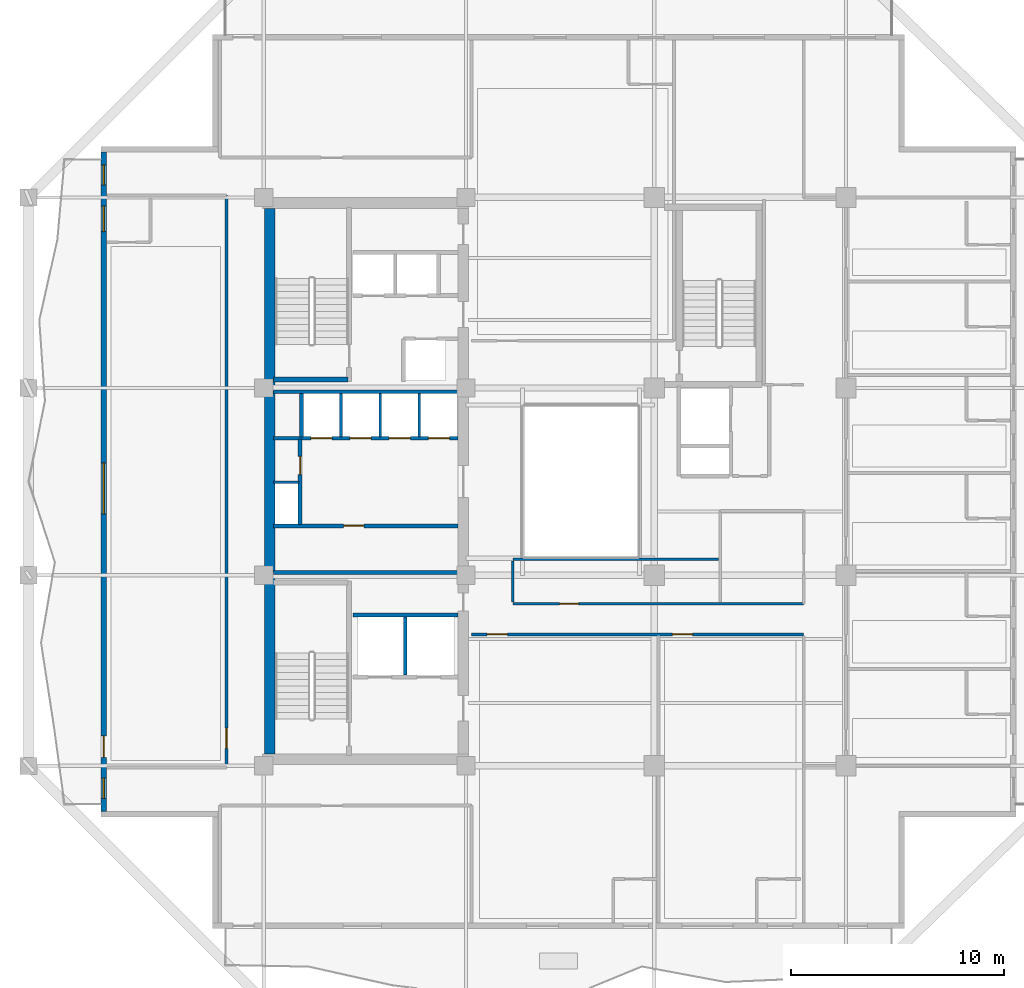
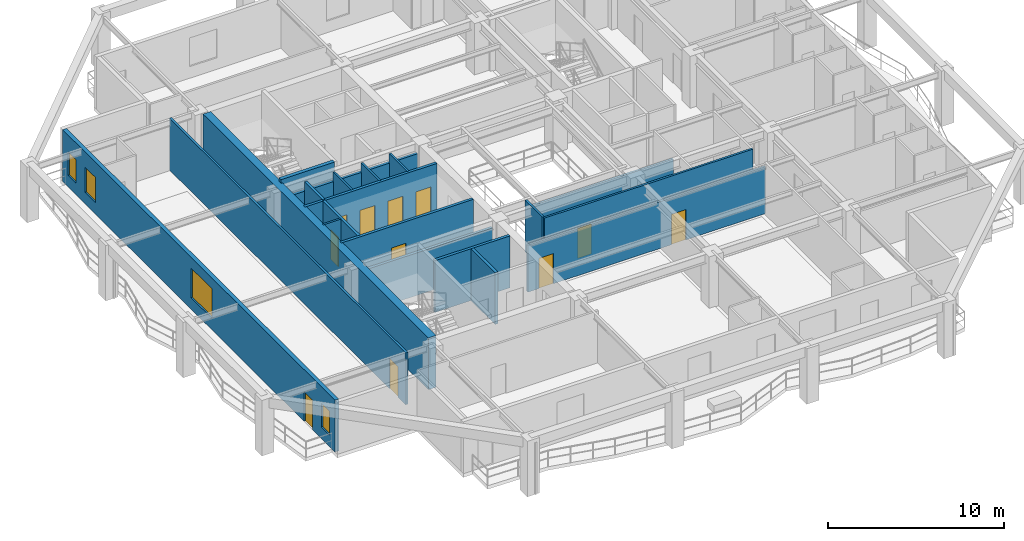
# One storey, part 3 of 13: 20 walls, 11 doors, 4 windows, 15 openings.
"""IFC4 building model written with IfcOpenShell, lengths in metres."""

from ifc_helpers import new_model, si_unit, direction, frame, frame_2d, origin, place, context, subcontext, project, spatial, rectangle, extrude, material, layer, layer_set, type_object, element, fill, save


model = new_model("IFC4")

# Units and contexts
model_context = context("Model", 3, precision=1e-05, world=origin(), true_north=direction((0.0, 1.0)))
body_context = subcontext(model_context, "Body", "Model", "MODEL_VIEW")
ifc_project = project(units=[si_unit("LENGTHUNIT", "METRE"), si_unit("AREAUNIT", "SQUARE_METRE"), si_unit("VOLUMEUNIT", "CUBIC_METRE"), si_unit("PLANEANGLEUNIT", "RADIAN"), si_unit("MASSUNIT", "GRAM", prefix="KILO")], contexts=[model_context])

# Site, building, storey
site_placement = place(None, origin())
site = spatial("IfcSite", under=ifc_project, at=site_placement, CompositionType="ELEMENT")
building_placement = place(site_placement, origin())
building = spatial("IfcBuilding", under=site, at=building_placement, Name="Kundavana Baori Tower", CompositionType="ELEMENT")
storey_placement = place(building_placement, frame((0.0, 0.0, 184.85009765625)))
storey = spatial("IfcBuildingStorey", under=building, at=storey_placement, Name="L45", CompositionType="ELEMENT", Elevation=184.85009765625)

# Walls
ifc_material_1 = material(Name="Concrete C50/60", Category="concrete")
ifc_layer_1 = layer(ifc_material_1, 0.39990234375, Name="WL-CORE-400")
ifc_layer_set_1 = layer_set([ifc_layer_1], Name="Concrete C50/60")
wall_type_1 = type_object("IfcWallType", Name="WL-CORE-400", PredefinedType="SHEAR", material=ifc_layer_set_1)
wall_1_placement = place(storey_placement, frame((15.89990234375, 33.389892578125, 0.0), z_axis=(0.0, 0.0, 1.0), x_axis=(1.0, 0.0, 0.0)))
element("IfcWall", 1, at=wall_1_placement, inside=storey, type_object=wall_type_1, Name="WL-L45-ST2-S", PredefinedType="SHEAR", context=body_context, shape_type="SweptSolid", body=[
    extrude(rectangle(XDim=3.52001953125, YDim=0.239990234375, at=frame_2d((1.760009765625, 0.0))), origin(), (0.0, 0.0, 1.0), 3.849853515625),
])
ifc_material_2 = material(Name="Concrete C50/60", Category="concrete")
ifc_layer_2 = layer(ifc_material_2, 0.5, Name="WL-CORE-500")
ifc_layer_set_2 = layer_set([ifc_layer_2], Name="Concrete C50/60")
wall_type_2 = type_object("IfcWallType", Name="WL-CORE-500", PredefinedType="SHEAR", material=ifc_layer_set_2)
wall_2_placement = place(storey_placement, frame((15.739990234375, 15.81005859375, 0.0), z_axis=(0.0, 0.0, 1.0), x_axis=(0.0, 1.0, 0.0)))
element("IfcWall", 2, at=wall_2_placement, inside=storey, type_object=wall_type_2, Name="L45 Offset Core West Shear Wall", PredefinedType="SHEAR", context=body_context, shape_type="SweptSolid", body=[
    extrude(rectangle(XDim=25.6298828125, YDim=0.5, at=frame_2d((12.81494140625, 0.0))), origin(), (0.0, 0.0, 1.0), 3.599853515625),
])

# Wall, openings, door, windows
ifc_material_3 = material(Name="Kiln-Fired Terracotta Brick-Slip Masonry on Concrete C40/50", Category="masonry")
ifc_layer_3 = layer(ifc_material_3, 0.260009765625, Name="WL-EXT-BRK-260")
ifc_layer_set_3 = layer_set([ifc_layer_3], Name="Kiln-Fired Terracotta Brick-Slip Masonry on Concrete C40/50")
wall_type_3 = type_object("IfcWallType", Name="WL-EXT-BRK-260", PredefinedType="SOLIDWALL", material=ifc_layer_set_3)
wall_3_placement = place(storey_placement, frame((7.929931640625, 44.090087890625, 0.0), z_axis=(0.0, 0.0, 1.0), x_axis=(0.0, -1.0, 0.0)))
wall_3 = element("IfcWall", 3, at=wall_3_placement, inside=storey, type_object=wall_type_3, Name="L45 Exterior Insulated Facade Wall 10", PredefinedType="SOLIDWALL", context=body_context, shape_type="SweptSolid", body=[
    extrude(rectangle(XDim=30.97998046875, YDim=0.260009765625, at=frame_2d((15.489990234375, 0.0))), origin(), (0.0, 0.0, 1.0), 3.599853515625),
])
opening_1_placement = place(wall_3_placement, frame((29.425048828125, 0.0, 0.800048828125)))
opening_1 = element("IfcOpeningElement", 4, at=opening_1_placement, cuts=wall_3, Name="Opening W-13", PredefinedType="OPENING", context=body_context, shape_type="SweptSolid", body=[
    extrude(rectangle(XDim=0.949951171875, YDim=1.64990234375, at=frame_2d((0.47509765625, 0.824951171875))), frame((0.0, 0.14013671875, 0.0), z_axis=(0.0, -1.0, 0.0), x_axis=(1.0, 0.0, 0.0)), (0.0, 0.0, 1.0), 0.280029296875),
])
opening_2_placement = place(wall_3_placement, frame((27.43994140625, 0.0, 0.0)))
opening_2 = element("IfcOpeningElement", 5, at=opening_2_placement, cuts=wall_3, Name="Opening BD-1", PredefinedType="OPENING", context=body_context, shape_type="SweptSolid", body=[
    extrude(rectangle(XDim=1.0, YDim=2.050048828125, at=frame_2d((0.5, 1.02490234375))), frame((0.0, 0.14013671875, 0.0), z_axis=(0.0, -1.0, 0.0), x_axis=(1.0, 0.0, 0.0)), (0.0, 0.0, 1.0), 0.280029296875),
])
opening_3_placement = place(wall_3_placement, frame((14.610107421875, 0.0, 0.800048828125)))
opening_3 = element("IfcOpeningElement", 6, at=opening_3_placement, cuts=wall_3, Name="Opening W-04", PredefinedType="OPENING", context=body_context, shape_type="SweptSolid", body=[
    extrude(rectangle(XDim=2.39990234375, YDim=2.050048828125, at=frame_2d((1.199951171875, 1.02490234375))), frame((0.0, 0.14013671875, 0.0), z_axis=(0.0, -1.0, 0.0), x_axis=(1.0, 0.0, 0.0)), (0.0, 0.0, 1.0), 0.280029296875),
])
opening_4_placement = place(wall_3_placement, frame((2.544921875, 0.0, 0.800048828125)))
opening_4 = element("IfcOpeningElement", 7, at=opening_4_placement, cuts=wall_3, Name="Opening W-03", PredefinedType="OPENING", context=body_context, shape_type="SweptSolid", body=[
    extrude(rectangle(XDim=1.199951171875, YDim=1.75, at=frame_2d((0.60009765625, 0.875))), frame((0.0, 0.14013671875, 0.0), z_axis=(0.0, -1.0, 0.0), x_axis=(1.0, 0.0, 0.0)), (0.0, 0.0, 1.0), 0.280029296875),
])
opening_5_placement = place(wall_3_placement, frame((0.60498046875, 0.0, 0.800048828125)))
opening_5 = element("IfcOpeningElement", 8, at=opening_5_placement, cuts=wall_3, Name="Opening W-13", PredefinedType="OPENING", context=body_context, shape_type="SweptSolid", body=[
    extrude(rectangle(XDim=0.949951171875, YDim=1.64990234375, at=frame_2d((0.47509765625, 0.824951171875))), frame((0.0, 0.14013671875, 0.0), z_axis=(0.0, -1.0, 0.0), x_axis=(1.0, 0.0, 0.0)), (0.0, 0.0, 1.0), 0.280029296875),
])
ifc_material_4 = material(Name="Architectural Patinated Bronze Metalwork")
door_type_1 = type_object("IfcDoorType", Name="DR-EXT-LOG-1000", OperationType="NOTDEFINED", PredefinedType="DOOR", material=ifc_material_4)
door_1_placement = place(opening_2_placement, frame((1.0, 0.0, 0.0), z_axis=(0.0, 0.0, 1.0), x_axis=(-1.0, 0.0, 0.0)))
door_1 = element("IfcDoor", 9, at=door_1_placement, inside=storey, type_object=door_type_1, Name="L45 Loggia Balcony Access Door W", OperationType="SINGLE_SWING_LEFT", OverallHeight=2.050048828125, OverallWidth=1.0, PredefinedType="DOOR", context=body_context, shape_type="SweptSolid", body=[
    extrude(rectangle(XDim=1.0, YDim=2.050048828125, at=frame_2d((0.5, 1.02490234375))), frame((0.0, 0.02490234375, 0.0), z_axis=(0.0, -1.0, 0.0), x_axis=(1.0, 0.0, 0.0)), (0.0, 0.0, 1.0), 0.050048828125),
])
fill(opening_2, door_1)
ifc_material_5 = material(Name="Double-Glazed Solar-Control Low-E Insulated Glass", Category="glass")
window_type_1 = type_object("IfcWindowType", Name="WIN-LOG-1200x1750", PartitioningType="SINGLE_PANEL", PredefinedType="WINDOW", material=ifc_material_5)
window_1_placement = place(opening_4_placement, origin())
window_1 = element("IfcWindow", 10, at=window_1_placement, inside=storey, type_object=window_type_1, Name="L45 Recessed Loggia Window W-3", OverallHeight=1.75, OverallWidth=1.199951171875, PartitioningType="SINGLE_PANEL", PredefinedType="WINDOW", context=body_context, shape_type="SweptSolid", body=[
    extrude(rectangle(XDim=1.199951171875, YDim=1.75, at=frame_2d((0.60009765625, 0.875))), frame((0.0, 0.030029296875, 0.0), z_axis=(0.0, -1.0, 0.0), x_axis=(1.0, 0.0, 0.0)), (0.0, 0.0, 1.0), 0.06005859375),
])
fill(opening_4, window_1)
ifc_material_6 = material(Name="Double-Glazed Solar-Control Low-E Insulated Glass", Category="glass")
window_type_2 = type_object("IfcWindowType", Name="WIN-LOG-2400x2050", PartitioningType="SINGLE_PANEL", PredefinedType="WINDOW", material=ifc_material_6)
window_2_placement = place(opening_3_placement, origin())
window_2 = element("IfcWindow", 11, at=window_2_placement, inside=storey, type_object=window_type_2, Name="L45 Recessed Loggia Window W-2", OverallHeight=2.050048828125, OverallWidth=2.39990234375, PartitioningType="SINGLE_PANEL", PredefinedType="WINDOW", context=body_context, shape_type="SweptSolid", body=[
    extrude(rectangle(XDim=2.39990234375, YDim=2.050048828125, at=frame_2d((1.199951171875, 1.02490234375))), frame((0.0, 0.030029296875, 0.0), z_axis=(0.0, -1.0, 0.0), x_axis=(1.0, 0.0, 0.0)), (0.0, 0.0, 1.0), 0.06005859375),
])
fill(opening_3, window_2)
ifc_material_7 = material(Name="Double-Glazed Solar-Control Low-E Insulated Glass", Category="glass")
window_type_3 = type_object("IfcWindowType", Name="WIN-LOG-950x1650", PartitioningType="SINGLE_PANEL", PredefinedType="WINDOW", material=ifc_material_7)
window_3_placement = place(opening_1_placement, origin())
window_3 = element("IfcWindow", 12, at=window_3_placement, inside=storey, type_object=window_type_3, Name="L45 Recessed Loggia Window W-1", OverallHeight=1.64990234375, OverallWidth=0.949951171875, PartitioningType="SINGLE_PANEL", PredefinedType="WINDOW", context=body_context, shape_type="SweptSolid", body=[
    extrude(rectangle(XDim=0.949951171875, YDim=1.64990234375, at=frame_2d((0.47509765625, 0.824951171875))), frame((0.0, 0.030029296875, 0.0), z_axis=(0.0, -1.0, 0.0), x_axis=(1.0, 0.0, 0.0)), (0.0, 0.0, 1.0), 0.06005859375),
])
fill(opening_1, window_3)
window_4_placement = place(opening_5_placement, origin())
window_4 = element("IfcWindow", 13, at=window_4_placement, inside=storey, type_object=window_type_3, Name="L45 Recessed Loggia Window W-4", OverallHeight=1.64990234375, OverallWidth=0.949951171875, PartitioningType="SINGLE_PANEL", PredefinedType="WINDOW", context=body_context, shape_type="SweptSolid", body=[
    extrude(rectangle(XDim=0.949951171875, YDim=1.64990234375, at=frame_2d((0.47509765625, 0.824951171875))), frame((0.0, 0.030029296875, 0.0), z_axis=(0.0, -1.0, 0.0), x_axis=(1.0, 0.0, 0.0)), (0.0, 0.0, 1.0), 0.06005859375),
])
fill(opening_5, window_4)

# Walls
ifc_material_8 = material(Name="Acoustic Gypsum Plasterboard on Galvanised Steel Studs", Category="steel")
ifc_layer_4 = layer(ifc_material_8, 0.1201171875, Name="WL-PART-120")
ifc_layer_set_4 = layer_set([ifc_layer_4], Name="Acoustic Gypsum Plasterboard on Galvanised Steel Studs")
wall_type_4 = type_object("IfcWallType", Name="WL-PART-120", PredefinedType="PARTITIONING", material=ifc_layer_set_4)
wall_4_placement = place(storey_placement, frame((15.89990234375, 28.56005859375, 0.0), z_axis=(0.0, 0.0, 1.0), x_axis=(1.0, 0.0, 0.0)))
element("IfcWall", 14, at=wall_4_placement, inside=storey, type_object=wall_type_4, Name="WL-L45-RSRW-N", PredefinedType="PARTITIONING", context=body_context, shape_type="SweptSolid", body=[
    extrude(rectangle(XDim=1.2001953125, YDim=0.1201171875, at=frame_2d((0.60009765625, 0.0))), origin(), (0.0, 0.0, 1.0), 3.599853515625),
])
for number, where, z_axis, x_axis, name in (
    (15, (19.080078125, 30.699951171875, 0.0), (0.0, 0.0, 1.0), (0.0, 1.0, 0.0), "WL-L45-LPMID-D1"),
    (16, (20.919921875, 30.699951171875, 0.0), (0.0, 0.0, 1.0), (0.0, 1.0, 0.0), "WL-L45-LPMID-D2"),
    (17, (22.760009765625, 30.699951171875, 0.0), (0.0, 0.0, 1.0), (0.0, 1.0, 0.0), "WL-L45-LPMID-D3"),
):
    element("IfcWall", number, at=place(storey_placement, frame(where, z_axis=z_axis, x_axis=x_axis)), inside=storey, type_object=wall_type_4, Name=name, PredefinedType="PARTITIONING", context=body_context, shape_type="SweptSolid", body=[
        extrude(rectangle(XDim=2.050048828125, YDim=0.1201171875, at=frame_2d((1.02490234375, 0.0))), origin(), (0.0, 0.0, 1.0), 3.599853515625),
    ])

# Wall, openings, doors
ifc_material_9 = material(Name="Acoustic Gypsum Plasterboard on Galvanised Steel Studs", Category="steel")
ifc_layer_5 = layer(ifc_material_9, 0.135009765625, Name="WL-PART-135")
ifc_layer_set_5 = layer_set([ifc_layer_5], Name="Acoustic Gypsum Plasterboard on Galvanised Steel Studs")
wall_type_5 = type_object("IfcWallType", Name="WL-PART-135", PredefinedType="PARTITIONING", material=ifc_layer_set_5)
wall_5_placement = place(storey_placement, frame((25.219970703125, 21.419921875, 0.0), z_axis=(0.0, 0.0, 1.0), x_axis=(1.0, 0.0, 0.0)))
wall_5 = element("IfcWall", 18, at=wall_5_placement, inside=storey, type_object=wall_type_5, Name="WL-L45-HS", PredefinedType="PARTITIONING", context=body_context, shape_type="SweptSolid", body=[
    extrude(rectangle(XDim=15.60009765625, YDim=0.135009765625, at=frame_2d((7.800048828125, 0.0))), origin(), (0.0, 0.0, 1.0), 3.25),
])
opening_6_placement = place(wall_5_placement, frame((0.72998046875, 0.0, 0.0)))
opening_6 = element("IfcOpeningElement", 19, at=opening_6_placement, cuts=wall_5, Name="Opening FD-095", PredefinedType="OPENING", context=body_context, shape_type="SweptSolid", body=[
    extrude(rectangle(XDim=0.949951171875, YDim=2.10009765625, at=frame_2d((0.47509765625, 1.050048828125))), frame((0.0, 0.07763671875, 0.0), z_axis=(0.0, -1.0, 0.0), x_axis=(1.0, 0.0, 0.0)), (0.0, 0.0, 1.0), 0.155029296875),
])
opening_7_placement = place(wall_5_placement, frame((9.429931640625, 0.0, 0.0)))
opening_7 = element("IfcOpeningElement", 20, at=opening_7_placement, cuts=wall_5, Name="Opening FD-095", PredefinedType="OPENING", context=body_context, shape_type="SweptSolid", body=[
    extrude(rectangle(XDim=0.949951171875, YDim=2.10009765625, at=frame_2d((0.47509765625, 1.050048828125))), frame((0.0, 0.07763671875, 0.0), z_axis=(0.0, -1.0, 0.0), x_axis=(1.0, 0.0, 0.0)), (0.0, 0.0, 1.0), 0.155029296875),
])
ifc_material_10 = material(Name="Engineered Teak Fire-Rated Timber Door Leaf", Category="wood")
door_type_2 = type_object("IfcDoorType", Name="DR-FD60-950", OperationType="NOTDEFINED", PredefinedType="DOOR", material=ifc_material_10)
door_2_placement = place(opening_6_placement, frame((0.949951171875, 0.0, 0.0), z_axis=(0.0, 0.0, 1.0), x_axis=(-1.0, 0.0, 0.0)))
door_2 = element("IfcDoor", 21, at=door_2_placement, inside=storey, type_object=door_type_2, Name="DR-L45-HK-S1-ENT", OperationType="SINGLE_SWING_RIGHT", OverallHeight=2.10009765625, OverallWidth=0.949951171875, PredefinedType="DOOR", context=body_context, shape_type="SweptSolid", body=[
    extrude(rectangle(XDim=0.949951171875, YDim=2.10009765625, at=frame_2d((0.47509765625, 1.050048828125))), frame((0.0, 0.02490234375, 0.0), z_axis=(0.0, -1.0, 0.0), x_axis=(1.0, 0.0, 0.0)), (0.0, 0.0, 1.0), 0.050048828125),
])
fill(opening_6, door_2)
door_3_placement = place(opening_7_placement, frame((0.949951171875, 0.0, 0.0), z_axis=(0.0, 0.0, 1.0), x_axis=(-1.0, 0.0, 0.0)))
door_3 = element("IfcDoor", 22, at=door_3_placement, inside=storey, type_object=door_type_2, Name="DR-L45-HK-S2-ENT", OperationType="SINGLE_SWING_RIGHT", OverallHeight=2.10009765625, OverallWidth=0.949951171875, PredefinedType="DOOR", context=body_context, shape_type="SweptSolid", body=[
    extrude(rectangle(XDim=0.949951171875, YDim=2.10009765625, at=frame_2d((0.47509765625, 1.050048828125))), frame((0.0, 0.02490234375, 0.0), z_axis=(0.0, -1.0, 0.0), x_axis=(1.0, 0.0, 0.0)), (0.0, 0.0, 1.0), 0.050048828125),
])
fill(opening_7, door_3)

# Wall, opening, door
wall_6_placement = place(storey_placement, frame((27.14990234375, 22.860107421875, 0.0), z_axis=(0.0, 0.0, 1.0), x_axis=(1.0, 0.0, 0.0)))
wall_6 = element("IfcWall", 23, at=wall_6_placement, inside=storey, type_object=wall_type_5, Name="WL-L45-HST", PredefinedType="PARTITIONING", context=body_context, shape_type="SweptSolid", body=[
    extrude(rectangle(XDim=13.670166015625, YDim=0.135009765625, at=frame_2d((6.8349609375, 0.0))), origin(), (0.0, 0.0, 1.0), 3.599853515625),
])
opening_8_placement = place(wall_6_placement, frame((2.199951171875, 0.0, 0.0)))
opening_8 = element("IfcOpeningElement", 24, at=opening_8_placement, cuts=wall_6, Name="Opening ID-090", PredefinedType="OPENING", context=body_context, shape_type="SweptSolid", body=[
    extrude(rectangle(XDim=0.89990234375, YDim=2.080078125, at=frame_2d((0.449951171875, 1.0400390625))), frame((0.0, 0.07763671875, 0.0), z_axis=(0.0, -1.0, 0.0), x_axis=(1.0, 0.0, 0.0)), (0.0, 0.0, 1.0), 0.155029296875),
])
ifc_material_11 = material(Name="Engineered Teak Solid-Core Timber Veneer", Category="wood")
door_type_3 = type_object("IfcDoorType", Name="DR-INT-900", OperationType="NOTDEFINED", PredefinedType="DOOR", material=ifc_material_11)
door_4_placement = place(opening_8_placement, origin())
door_4 = element("IfcDoor", 25, at=door_4_placement, inside=storey, type_object=door_type_3, Name="DR-L45-HPNT", OperationType="SINGLE_SWING_LEFT", OverallHeight=2.080078125, OverallWidth=0.89990234375, PredefinedType="DOOR", context=body_context, shape_type="SweptSolid", body=[
    extrude(rectangle(XDim=0.89990234375, YDim=2.080078125, at=frame_2d((0.449951171875, 1.0400390625))), frame((0.0, 0.02490234375, 0.0), z_axis=(0.0, -1.0, 0.0), x_axis=(1.0, 0.0, 0.0)), (0.0, 0.0, 1.0), 0.050048828125),
])
fill(opening_8, door_4)

wall_7_placement = place(storey_placement, frame((13.699951171875, 15.159912109375, 0.0), z_axis=(0.0, 0.0, 1.0), x_axis=(0.0, 1.0, 0.0)))
wall_7 = element("IfcWall", 26, at=wall_7_placement, inside=storey, type_object=wall_type_5, Name="WL-L45-HW", PredefinedType="PARTITIONING", context=body_context, shape_type="SweptSolid", body=[
    extrude(rectangle(XDim=26.880126953125, YDim=0.135009765625, at=frame_2d((13.43994140625, 0.0))), origin(), (0.0, 0.0, 1.0), 3.599853515625),
])
opening_9_placement = place(wall_7_placement, frame((0.909912109375, 0.0, 0.0)))
opening_9 = element("IfcOpeningElement", 27, at=opening_9_placement, cuts=wall_7, Name="Opening FD-095", PredefinedType="OPENING", context=body_context, shape_type="SweptSolid", body=[
    extrude(rectangle(XDim=0.949951171875, YDim=2.10009765625, at=frame_2d((0.47509765625, 1.050048828125))), frame((0.0, 0.07763671875, 0.0), z_axis=(0.0, -1.0, 0.0), x_axis=(1.0, 0.0, 0.0)), (0.0, 0.0, 1.0), 0.155029296875),
])
door_5_placement = place(opening_9_placement, origin())
door_5 = element("IfcDoor", 28, at=door_5_placement, inside=storey, type_object=door_type_2, Name="DR-L45-HK-W1-ENT", OperationType="SINGLE_SWING_LEFT", OverallHeight=2.10009765625, OverallWidth=0.949951171875, PredefinedType="DOOR", context=body_context, shape_type="SweptSolid", body=[
    extrude(rectangle(XDim=0.949951171875, YDim=2.10009765625, at=frame_2d((0.47509765625, 1.050048828125))), frame((0.0, 0.02490234375, 0.0), z_axis=(0.0, -1.0, 0.0), x_axis=(1.0, 0.0, 0.0)), (0.0, 0.0, 1.0), 0.050048828125),
])
fill(opening_9, door_5)

# Walls
wall_8_placement = place(storey_placement, frame((27.14990234375, 24.949951171875, 0.0), z_axis=(0.0, 0.0, 1.0), x_axis=(1.0, 0.0, 0.0)))
element("IfcWall", 29, at=wall_8_placement, inside=storey, type_object=wall_type_5, Name="WL-L45-HPN1", PredefinedType="PARTITIONING", context=body_context, shape_type="SweptSolid", body=[
    extrude(rectangle(XDim=9.670166015625, YDim=0.135009765625, at=frame_2d((4.8349609375, 0.0))), origin(), (0.0, 0.0, 1.0), 3.0498046875),
])
wall_9_placement = place(storey_placement, frame((27.14990234375, 22.93994140625, 0.0), z_axis=(0.0, 0.0, 1.0), x_axis=(0.0, 1.0, 0.0)))
element("IfcWall", 30, at=wall_9_placement, inside=storey, type_object=wall_type_5, Name="WL-L45-HPN2", PredefinedType="PARTITIONING", context=body_context, shape_type="SweptSolid", body=[
    extrude(rectangle(XDim=1.93994140625, YDim=0.135009765625, at=frame_2d((0.969970703125, 0.0))), origin(), (0.0, 0.0, 1.0), 3.599853515625),
])
ifc_material_12 = material(Name="Autoclaved Aerated Concrete Blockwork Masonry", Category="masonry")
ifc_layer_6 = layer(ifc_material_12, 0.179931640625, Name="WL-SHAFT-180")
ifc_layer_set_6 = layer_set([ifc_layer_6], Name="Autoclaved Aerated Concrete Blockwork Masonry")
wall_type_6 = type_object("IfcWallType", Name="WL-SHAFT-180", PredefinedType="SOLIDWALL", material=ifc_layer_set_6)
wall_10_placement = place(storey_placement, frame((22.10009765625, 19.510009765625, 0.0), z_axis=(0.0, 0.0, 1.0), x_axis=(0.0, 1.0, 0.0)))
element("IfcWall", 31, at=wall_10_placement, inside=storey, type_object=wall_type_6, Name="WL-L45-FFL-MID", PredefinedType="SOLIDWALL", context=body_context, shape_type="SweptSolid", body=[
    extrude(rectangle(XDim=2.739990234375, YDim=0.179931640625, at=frame_2d((1.3701171875, 0.0))), origin(), (0.0, 0.0, 1.0), 3.599853515625),
])
wall_11_placement = place(storey_placement, frame((19.639892578125, 22.340087890625, 0.0), z_axis=(0.0, 0.0, 1.0), x_axis=(1.0, 0.0, 0.0)))
element("IfcWall", 32, at=wall_11_placement, inside=storey, type_object=wall_type_6, Name="WL-L45-FFL-N", PredefinedType="SOLIDWALL", context=body_context, shape_type="SweptSolid", body=[
    extrude(rectangle(XDim=4.940185546875, YDim=0.179931640625, at=frame_2d((2.47021484375, 0.0))), origin(), (0.0, 0.0, 1.0), 3.599853515625),
])

# Wall, opening, door
wall_12_placement = place(storey_placement, frame((15.89990234375, 26.52001953125, 0.0), z_axis=(0.0, 0.0, 1.0), x_axis=(1.0, 0.0, 0.0)))
wall_12 = element("IfcWall", 33, at=wall_12_placement, inside=storey, type_object=wall_type_6, Name="WL-L45-LPLOW-N", PredefinedType="SOLIDWALL", context=body_context, shape_type="SweptSolid", body=[
    extrude(rectangle(XDim=8.68017578125, YDim=0.179931640625, at=frame_2d((4.340087890625, 0.0))), origin(), (0.0, 0.0, 1.0), 3.599853515625),
])
opening_10_placement = place(wall_12_placement, frame((3.300048828125, 0.0, 0.0)))
opening_10 = element("IfcOpeningElement", 34, at=opening_10_placement, cuts=wall_12, Name="Opening FD-095", PredefinedType="OPENING", context=body_context, shape_type="SweptSolid", body=[
    extrude(rectangle(XDim=0.949951171875, YDim=2.10009765625, at=frame_2d((0.47509765625, 1.050048828125))), frame((0.0, 0.10009765625, 0.0), z_axis=(0.0, -1.0, 0.0), x_axis=(1.0, 0.0, 0.0)), (0.0, 0.0, 1.0), 0.199951171875),
])
door_6_placement = place(opening_10_placement, origin())
door_6 = element("IfcDoor", 35, at=door_6_placement, inside=storey, type_object=door_type_2, Name="DR-L45-FRLOW1", OperationType="SINGLE_SWING_LEFT", OverallHeight=2.10009765625, OverallWidth=0.949951171875, PredefinedType="DOOR", context=body_context, shape_type="SweptSolid", body=[
    extrude(rectangle(XDim=0.949951171875, YDim=2.10009765625, at=frame_2d((0.47509765625, 1.050048828125))), frame((0.0, 0.02490234375, 0.0), z_axis=(0.0, -1.0, 0.0), x_axis=(1.0, 0.0, 0.0)), (0.0, 0.0, 1.0), 0.050048828125),
])
fill(opening_10, door_6)

# Wall
wall_13_placement = place(storey_placement, frame((15.89990234375, 24.330078125, 0.0), z_axis=(0.0, 0.0, 1.0), x_axis=(1.0, 0.0, 0.0)))
element("IfcWall", 36, at=wall_13_placement, inside=storey, type_object=wall_type_6, Name="WL-L45-LPLOW-S", PredefinedType="SOLIDWALL", context=body_context, shape_type="SweptSolid", body=[
    extrude(rectangle(XDim=8.68017578125, YDim=0.179931640625, at=frame_2d((4.340087890625, 0.0))), origin(), (0.0, 0.0, 1.0), 2.949951171875),
])

# Wall, opening, door
wall_14_placement = place(storey_placement, frame((17.159912109375, 26.580078125, 0.0), z_axis=(0.0, 0.0, 1.0), x_axis=(0.0, 1.0, 0.0)))
wall_14 = element("IfcWall", 37, at=wall_14_placement, inside=storey, type_object=wall_type_6, Name="WL-L45-RSRW-E", PredefinedType="SOLIDWALL", context=body_context, shape_type="SweptSolid", body=[
    extrude(rectangle(XDim=4.02001953125, YDim=0.179931640625, at=frame_2d((2.010009765625, 0.0))), origin(), (0.0, 0.0, 1.0), 3.599853515625),
])
opening_11_placement = place(wall_14_placement, frame((2.35009765625, 0.0, 0.0)))
opening_11 = element("IfcOpeningElement", 38, at=opening_11_placement, cuts=wall_14, Name="Opening FD-085", PredefinedType="OPENING", context=body_context, shape_type="SweptSolid", body=[
    extrude(rectangle(XDim=0.85009765625, YDim=2.06005859375, at=frame_2d((0.425048828125, 1.030029296875))), frame((0.0, 0.10009765625, 0.0), z_axis=(0.0, -1.0, 0.0), x_axis=(1.0, 0.0, 0.0)), (0.0, 0.0, 1.0), 0.199951171875),
])
ifc_material_13 = material(Name="Galvanised Steel Fire-Rated Door Leaf", Category="steel")
door_type_4 = type_object("IfcDoorType", Name="DR-FD60-850", OperationType="NOTDEFINED", PredefinedType="DOOR", material=ifc_material_13)
door_7_placement = place(opening_11_placement, origin())
door_7 = element("IfcDoor", 39, at=door_7_placement, inside=storey, type_object=door_type_4, Name="DR-L45-CLN", OperationType="SINGLE_SWING_RIGHT", OverallHeight=2.06005859375, OverallWidth=0.85009765625, PredefinedType="DOOR", context=body_context, shape_type="SweptSolid", body=[
    extrude(rectangle(XDim=0.85009765625, YDim=2.06005859375, at=frame_2d((0.425048828125, 1.030029296875))), frame((0.0, 0.02490234375, 0.0), z_axis=(0.0, -1.0, 0.0), x_axis=(1.0, 0.0, 0.0)), (0.0, 0.0, 1.0), 0.050048828125),
])
fill(opening_11, door_7)

# Wall, openings, doors
wall_15_placement = place(storey_placement, frame((15.89990234375, 30.639892578125, 0.0), z_axis=(0.0, 0.0, 1.0), x_axis=(1.0, 0.0, 0.0)))
wall_15 = element("IfcWall", 40, at=wall_15_placement, inside=storey, type_object=wall_type_6, Name="WL-L45-LPMID-S", PredefinedType="SOLIDWALL", context=body_context, shape_type="SweptSolid", body=[
    extrude(rectangle(XDim=8.68017578125, YDim=0.179931640625, at=frame_2d((4.340087890625, 0.0))), origin(), (0.0, 0.0, 1.0), 3.599853515625),
])
opening_12_placement = place(wall_15_placement, frame((1.760009765625, 0.0, 0.0)))
opening_12 = element("IfcOpeningElement", 41, at=opening_12_placement, cuts=wall_15, Name="Opening LD-100", PredefinedType="OPENING", context=body_context, shape_type="SweptSolid", body=[
    extrude(rectangle(XDim=1.0, YDim=2.10009765625, at=frame_2d((0.5, 1.050048828125))), frame((0.0, 0.10009765625, 0.0), z_axis=(0.0, -1.0, 0.0), x_axis=(1.0, 0.0, 0.0)), (0.0, 0.0, 1.0), 0.199951171875),
])
opening_13_placement = place(wall_15_placement, frame((3.60009765625, 0.0, 0.0)))
opening_13 = element("IfcOpeningElement", 42, at=opening_13_placement, cuts=wall_15, Name="Opening LD-100", PredefinedType="OPENING", context=body_context, shape_type="SweptSolid", body=[
    extrude(rectangle(XDim=1.0, YDim=2.10009765625, at=frame_2d((0.5, 1.050048828125))), frame((0.0, 0.10009765625, 0.0), z_axis=(0.0, -1.0, 0.0), x_axis=(1.0, 0.0, 0.0)), (0.0, 0.0, 1.0), 0.199951171875),
])
opening_14_placement = place(wall_15_placement, frame((5.43994140625, 0.0, 0.0)))
opening_14 = element("IfcOpeningElement", 43, at=opening_14_placement, cuts=wall_15, Name="Opening LD-100", PredefinedType="OPENING", context=body_context, shape_type="SweptSolid", body=[
    extrude(rectangle(XDim=1.0, YDim=2.10009765625, at=frame_2d((0.5, 1.050048828125))), frame((0.0, 0.10009765625, 0.0), z_axis=(0.0, -1.0, 0.0), x_axis=(1.0, 0.0, 0.0)), (0.0, 0.0, 1.0), 0.199951171875),
])
opening_15_placement = place(wall_15_placement, frame((7.280029296875, 0.0, 0.0)))
opening_15 = element("IfcOpeningElement", 44, at=opening_15_placement, cuts=wall_15, Name="Opening LD-100", PredefinedType="OPENING", context=body_context, shape_type="SweptSolid", body=[
    extrude(rectangle(XDim=1.0, YDim=2.10009765625, at=frame_2d((0.5, 1.050048828125))), frame((0.0, 0.10009765625, 0.0), z_axis=(0.0, -1.0, 0.0), x_axis=(1.0, 0.0, 0.0)), (0.0, 0.0, 1.0), 0.199951171875),
])
ifc_material_14 = material(Name="Galvanised Steel Fire-Rated Door Leaf", Category="steel")
door_type_5 = type_object("IfcDoorType", Name="DR-SLIDE-LD1000", OperationType="NOTDEFINED", PredefinedType="DOOR", material=ifc_material_14)
door_8_placement = place(opening_12_placement, frame((1.0, 0.0, 0.0), z_axis=(0.0, 0.0, 1.0), x_axis=(-1.0, 0.0, 0.0)))
door_8 = element("IfcDoor", 45, at=door_8_placement, inside=storey, type_object=door_type_5, Name="DR-L45-LD-LP-05", OperationType="DOUBLE_DOOR_SLIDING", OverallHeight=2.10009765625, OverallWidth=1.0, PredefinedType="DOOR", context=body_context, shape_type="SweptSolid", body=[
    extrude(rectangle(XDim=1.0, YDim=2.10009765625, at=frame_2d((0.5, 1.050048828125))), frame((0.0, 0.02490234375, 0.0), z_axis=(0.0, -1.0, 0.0), x_axis=(1.0, 0.0, 0.0)), (0.0, 0.0, 1.0), 0.050048828125),
])
fill(opening_12, door_8)
door_9_placement = place(opening_13_placement, frame((1.0, 0.0, 0.0), z_axis=(0.0, 0.0, 1.0), x_axis=(-1.0, 0.0, 0.0)))
door_9 = element("IfcDoor", 46, at=door_9_placement, inside=storey, type_object=door_type_5, Name="DR-L45-LD-LP-06", OperationType="DOUBLE_DOOR_SLIDING", OverallHeight=2.10009765625, OverallWidth=1.0, PredefinedType="DOOR", context=body_context, shape_type="SweptSolid", body=[
    extrude(rectangle(XDim=1.0, YDim=2.10009765625, at=frame_2d((0.5, 1.050048828125))), frame((0.0, 0.02490234375, 0.0), z_axis=(0.0, -1.0, 0.0), x_axis=(1.0, 0.0, 0.0)), (0.0, 0.0, 1.0), 0.050048828125),
])
fill(opening_13, door_9)
door_10_placement = place(opening_14_placement, frame((1.0, 0.0, 0.0), z_axis=(0.0, 0.0, 1.0), x_axis=(-1.0, 0.0, 0.0)))
door_10 = element("IfcDoor", 47, at=door_10_placement, inside=storey, type_object=door_type_5, Name="DR-L45-LD-LP-07", OperationType="DOUBLE_DOOR_SLIDING", OverallHeight=2.10009765625, OverallWidth=1.0, PredefinedType="DOOR", context=body_context, shape_type="SweptSolid", body=[
    extrude(rectangle(XDim=1.0, YDim=2.10009765625, at=frame_2d((0.5, 1.050048828125))), frame((0.0, 0.02490234375, 0.0), z_axis=(0.0, -1.0, 0.0), x_axis=(1.0, 0.0, 0.0)), (0.0, 0.0, 1.0), 0.050048828125),
])
fill(opening_14, door_10)
door_11_placement = place(opening_15_placement, frame((1.0, 0.0, 0.0), z_axis=(0.0, 0.0, 1.0), x_axis=(-1.0, 0.0, 0.0)))
door_11 = element("IfcDoor", 48, at=door_11_placement, inside=storey, type_object=door_type_5, Name="DR-L45-LD-LP-08", OperationType="DOUBLE_DOOR_SLIDING", OverallHeight=2.10009765625, OverallWidth=1.0, PredefinedType="DOOR", context=body_context, shape_type="SweptSolid", body=[
    extrude(rectangle(XDim=1.0, YDim=2.10009765625, at=frame_2d((0.5, 1.050048828125))), frame((0.0, 0.02490234375, 0.0), z_axis=(0.0, -1.0, 0.0), x_axis=(1.0, 0.0, 0.0)), (0.0, 0.0, 1.0), 0.050048828125),
])
fill(opening_15, door_11)

# Walls
wall_16_placement = place(storey_placement, frame((15.89990234375, 32.820068359375, 0.0), z_axis=(0.0, 0.0, 1.0), x_axis=(1.0, 0.0, 0.0)))
element("IfcWall", 49, at=wall_16_placement, inside=storey, type_object=wall_type_6, Name="WL-L45-LPMID-N", PredefinedType="SOLIDWALL", context=body_context, shape_type="SweptSolid", body=[
    extrude(rectangle(XDim=8.68017578125, YDim=0.179931640625, at=frame_2d((4.340087890625, 0.0))), origin(), (0.0, 0.0, 1.0), 2.949951171875),
])
wall_17_placement = place(storey_placement, frame((17.219970703125, 30.699951171875, 0.0), z_axis=(0.0, 0.0, 1.0), x_axis=(0.0, 1.0, 0.0)))
element("IfcWall", 50, at=wall_17_placement, inside=storey, type_object=wall_type_6, Name="WL-L45-LPMID-W", PredefinedType="SOLIDWALL", context=body_context, shape_type="SweptSolid", body=[
    extrude(rectangle(XDim=2.050048828125, YDim=0.179931640625, at=frame_2d((1.02490234375, 0.0))), origin(), (0.0, 0.0, 1.0), 3.599853515625),
])

save(model, "model.ifc")
